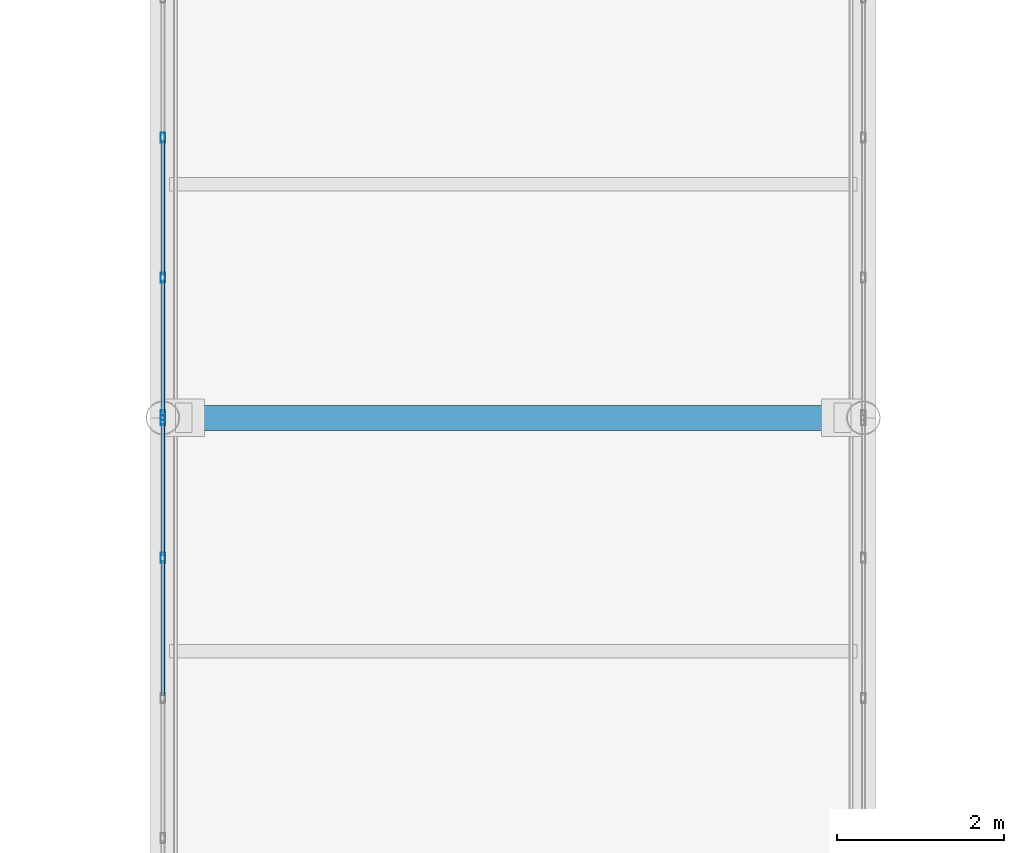
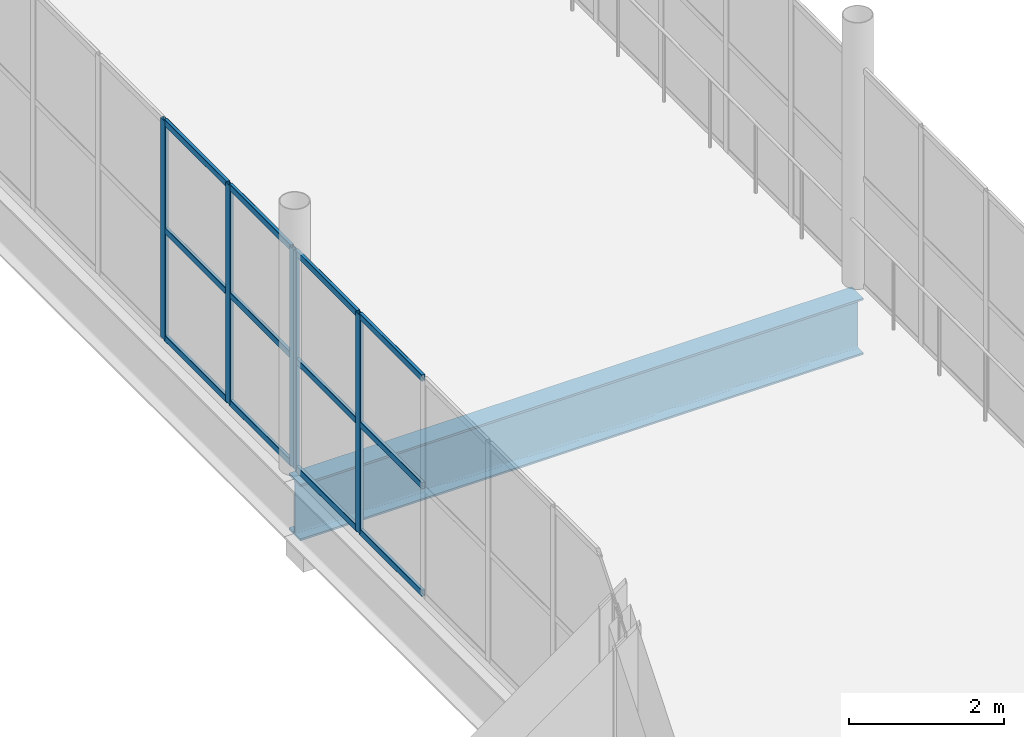
# One storey, part 51 of 163: 17 members, 1 beam, 2 elements without a shape of their own.
"""IFC4 building model written with IfcOpenShell, lengths in metres."""

from ifc_helpers import new_model, si_unit, direction, frame, origin, origin_2d, place, context, subcontext, project, spatial, hollow_rectangle, i_section, extrude, material, layer, layer_set, material_profile, profile_set, type_object, element, aggregate, save


model = new_model("IFC4")

# Units and contexts
model_context = context("Model", 3, precision=1e-05, world=origin(), true_north=direction((0.0, 1.0)))
body_context = subcontext(model_context, "Body", "Model", "MODEL_VIEW")
ifc_project = project(units=[si_unit("LENGTHUNIT", "METRE"), si_unit("AREAUNIT", "SQUARE_METRE"), si_unit("VOLUMEUNIT", "CUBIC_METRE"), si_unit("PLANEANGLEUNIT", "RADIAN"), si_unit("MASSUNIT", "GRAM", prefix="KILO")], contexts=[model_context])

# Site, building, storey
site_placement = place(None, origin())
site = spatial("IfcSite", under=ifc_project, at=site_placement, CompositionType="ELEMENT")
building_placement = place(site_placement, origin())
building = spatial("IfcBuilding", under=site, at=building_placement, Name="Qalvenar Corner Mobility Hub", CompositionType="ELEMENT")
storey_placement = place(building_placement, frame((0.0, 0.0, 4.800048828125)))
storey = spatial("IfcBuildingStorey", under=building, at=storey_placement, Name="L01", CompositionType="ELEMENT", Elevation=4.800048828125)

# Beam
ifc_material_1 = material(Name="Steel S355", Category="steel")
ifc_material_profile_1 = material_profile(ifc_material_1, i_section(OverallWidth=0.300048828125, OverallDepth=0.889892578125, WebThickness=0.01611328125, FlangeThickness=0.030029296875, FilletRadius=0.027099609375, at=origin_2d()), Name="HEA900")
ifc_profile_set_1 = profile_set([ifc_material_profile_1], Name="Steel S355")
beam_type = type_object("IfcBeamType", Name="BM-BRG900", PredefinedType="BEAM", material=ifc_profile_set_1)
beam_placement = place(storey_placement, frame((50.39990234375, 50.39990234375, -0.635009765625), z_axis=(1.0, 0.0, 0.0), x_axis=(0.0, 1.0, 0.0)))
element("IfcBeam", 1, at=beam_placement, inside=storey, type_object=beam_type, Name="Court Link Bridge Girder BRG-1523", PredefinedType="BEAM", context=body_context, shape_type="SweptSolid", body=[
    extrude(i_section(OverallWidth=0.300048828125, OverallDepth=0.889892578125, WebThickness=0.01611328125, FlangeThickness=0.030029296875, FilletRadius=0.027099609375, at=origin_2d()), origin(), (0.0, 0.0, 1.0), 8.400146484375),
])

# Curtain wall, members
ifc_material_2 = material(Name="Anodised Aluminium and Low-E Glazing", Category="aluminium")
ifc_layer = layer(ifc_material_2, 0.1201171875)
ifc_layer_set = layer_set([ifc_layer], Name="Anodised Aluminium and Low-E Glazing")
curtain_wall_type = type_object("IfcCurtainWallType", Name="CW-BRG-84X28", PredefinedType="NOTDEFINED", material=ifc_layer_set)
curtain_wall_1_placement = place(storey_placement, origin())
curtain_wall_1 = element("IfcCurtainWall", 2, at=curtain_wall_1_placement, inside=storey, type_object=curtain_wall_type, Name="Glazed Curtain Wall CW-BRG-L01-W1", PredefinedType="NOTDEFINED")
ifc_material_3 = material(Name="Anodised Aluminium 6063-T6", Category="aluminium")
ifc_material_profile_2 = material_profile(ifc_material_3, hollow_rectangle(XDim=0.054931640625, YDim=0.1201171875, WallThickness=0.00341796875, InnerFilletRadius=0.00341796875, OuterFilletRadius=0.007080078125, at=origin_2d()), Name="RHS120x55x3.5")
ifc_profile_set_2 = profile_set([ifc_material_profile_2], Name="Anodised Aluminium 6063-T6")
member_type_1 = type_object("IfcMemberType", Name="CW-MUL120", PredefinedType="MULLION", material=ifc_profile_set_2)
member_1_placement = place(storey_placement, frame((50.39990234375, 50.3701171875, 0.0), z_axis=(0.0, 0.0, 1.0), x_axis=(1.0, 0.0, 0.0)))
member_1 = element("IfcMember", 3, at=member_1_placement, type_object=member_type_1, Name="CW-11 mullion 1", PredefinedType="MULLION", context=body_context, shape_type="SweptSolid", body=[
    extrude(hollow_rectangle(XDim=0.054931640625, YDim=0.1201171875, WallThickness=0.00341796875, InnerFilletRadius=0.00341796875, OuterFilletRadius=0.007080078125, at=origin_2d()), origin(), (0.0, 0.0, 1.0), 3.449951171875),
])
member_2_placement = place(storey_placement, frame((50.39990234375, 48.719970703125, 0.0), z_axis=(0.0, 0.0, 1.0), x_axis=(1.0, 0.0, 0.0)))
member_2 = element("IfcMember", 4, at=member_2_placement, type_object=member_type_1, Name="CW-11 mullion 2", PredefinedType="MULLION", context=body_context, shape_type="SweptSolid", body=[
    extrude(hollow_rectangle(XDim=0.054931640625, YDim=0.1201171875, WallThickness=0.00341796875, InnerFilletRadius=0.00341796875, OuterFilletRadius=0.007080078125, at=origin_2d()), origin(), (0.0, 0.0, 1.0), 3.449951171875),
])

curtain_wall_2_placement = place(storey_placement, origin())
curtain_wall_2 = element("IfcCurtainWall", 5, at=curtain_wall_2_placement, inside=storey, type_object=curtain_wall_type, Name="Glazed Curtain Wall CW-BRG-L01-W2", PredefinedType="NOTDEFINED")
member_3_placement = place(storey_placement, frame((50.39990234375, 53.760009765625, 0.0), z_axis=(0.0, 0.0, 1.0), x_axis=(1.0, 0.0, 0.0)))
member_3 = element("IfcMember", 6, at=member_3_placement, type_object=member_type_1, Name="CW-11 mullion 4", PredefinedType="MULLION", context=body_context, shape_type="SweptSolid", body=[
    extrude(hollow_rectangle(XDim=0.054931640625, YDim=0.1201171875, WallThickness=0.00341796875, InnerFilletRadius=0.00341796875, OuterFilletRadius=0.007080078125, at=origin_2d()), origin(), (0.0, 0.0, 1.0), 3.449951171875),
])
member_4_placement = place(storey_placement, frame((50.39990234375, 52.080078125, 0.0), z_axis=(0.0, 0.0, 1.0), x_axis=(1.0, 0.0, 0.0)))
member_4 = element("IfcMember", 7, at=member_4_placement, type_object=member_type_1, Name="CW-11 mullion 5", PredefinedType="MULLION", context=body_context, shape_type="SweptSolid", body=[
    extrude(hollow_rectangle(XDim=0.054931640625, YDim=0.1201171875, WallThickness=0.00341796875, InnerFilletRadius=0.00341796875, OuterFilletRadius=0.007080078125, at=origin_2d()), origin(), (0.0, 0.0, 1.0), 3.449951171875),
])
member_5_placement = place(storey_placement, frame((50.39990234375, 50.429931640625, 0.0), z_axis=(0.0, 0.0, 1.0), x_axis=(1.0, 0.0, 0.0)))
member_5 = element("IfcMember", 8, at=member_5_placement, type_object=member_type_1, Name="CW-11 mullion 6", PredefinedType="MULLION", context=body_context, shape_type="SweptSolid", body=[
    extrude(hollow_rectangle(XDim=0.054931640625, YDim=0.1201171875, WallThickness=0.00341796875, InnerFilletRadius=0.00341796875, OuterFilletRadius=0.007080078125, at=origin_2d()), origin(), (0.0, 0.0, 1.0), 3.449951171875),
])

# Member
ifc_material_profile_3 = material_profile(ifc_material_3, hollow_rectangle(XDim=0.050048828125, YDim=0.10009765625, WallThickness=0.0029296875, InnerFilletRadius=0.0029296875, OuterFilletRadius=0.006103515625, at=origin_2d()), Name="RHS100x50x3")
ifc_profile_set_3 = profile_set([ifc_material_profile_3], Name="Anodised Aluminium 6063-T6")
member_type_2 = type_object("IfcMemberType", Name="CW-TRN100", PredefinedType="USERDEFINED", material=ifc_profile_set_3)
member_6_placement = place(storey_placement, frame((50.39990234375, 50.340087890625, 0.02734375), z_axis=(0.0, -1.0, 0.0), x_axis=(1.0, 0.0, 0.0)))
member_6 = element("IfcMember", 9, at=member_6_placement, type_object=member_type_2, Name="CW-11 transom 1.1", ObjectType="TRANSOM", PredefinedType="USERDEFINED", context=body_context, shape_type="SweptSolid", body=[
    extrude(hollow_rectangle(XDim=0.050048828125, YDim=0.10009765625, WallThickness=0.0029296875, InnerFilletRadius=0.0029296875, OuterFilletRadius=0.006103515625, at=origin_2d()), origin(), (0.0, 0.0, 1.0), 1.590087890625),
])

member_7_placement = place(storey_placement, frame((50.39990234375, 50.340087890625, 1.724853515625), z_axis=(0.0, -1.0, 0.0), x_axis=(1.0, 0.0, 0.0)))
member_7 = element("IfcMember", 10, at=member_7_placement, type_object=member_type_2, Name="CW-11 transom 1.2", ObjectType="TRANSOM", PredefinedType="USERDEFINED", context=body_context, shape_type="SweptSolid", body=[
    extrude(hollow_rectangle(XDim=0.050048828125, YDim=0.10009765625, WallThickness=0.0029296875, InnerFilletRadius=0.0029296875, OuterFilletRadius=0.006103515625, at=origin_2d()), origin(), (0.0, 0.0, 1.0), 1.590087890625),
])

member_8_placement = place(storey_placement, frame((50.39990234375, 50.340087890625, 3.42236328125), z_axis=(0.0, -1.0, 0.0), x_axis=(1.0, 0.0, 0.0)))
member_8 = element("IfcMember", 11, at=member_8_placement, type_object=member_type_2, Name="CW-11 transom 1.3", ObjectType="TRANSOM", PredefinedType="USERDEFINED", context=body_context, shape_type="SweptSolid", body=[
    extrude(hollow_rectangle(XDim=0.050048828125, YDim=0.10009765625, WallThickness=0.0029296875, InnerFilletRadius=0.0029296875, OuterFilletRadius=0.006103515625, at=origin_2d()), origin(), (0.0, 0.0, 1.0), 1.590087890625),
])

member_9_placement = place(storey_placement, frame((50.39990234375, 48.68994140625, 0.02734375), z_axis=(0.0, -1.0, 0.0), x_axis=(1.0, 0.0, 0.0)))
member_9 = element("IfcMember", 12, at=member_9_placement, type_object=member_type_2, Name="CW-11 transom 2.1", ObjectType="TRANSOM", PredefinedType="USERDEFINED", context=body_context, shape_type="SweptSolid", body=[
    extrude(hollow_rectangle(XDim=0.050048828125, YDim=0.10009765625, WallThickness=0.0029296875, InnerFilletRadius=0.0029296875, OuterFilletRadius=0.006103515625, at=origin_2d()), origin(), (0.0, 0.0, 1.0), 1.619873046875),
])

member_10_placement = place(storey_placement, frame((50.39990234375, 48.68994140625, 1.724853515625), z_axis=(0.0, -1.0, 0.0), x_axis=(1.0, 0.0, 0.0)))
member_10 = element("IfcMember", 13, at=member_10_placement, type_object=member_type_2, Name="CW-11 transom 2.2", ObjectType="TRANSOM", PredefinedType="USERDEFINED", context=body_context, shape_type="SweptSolid", body=[
    extrude(hollow_rectangle(XDim=0.050048828125, YDim=0.10009765625, WallThickness=0.0029296875, InnerFilletRadius=0.0029296875, OuterFilletRadius=0.006103515625, at=origin_2d()), origin(), (0.0, 0.0, 1.0), 1.619873046875),
])

member_11_placement = place(storey_placement, frame((50.39990234375, 48.68994140625, 3.42236328125), z_axis=(0.0, -1.0, 0.0), x_axis=(1.0, 0.0, 0.0)))
member_11 = element("IfcMember", 14, at=member_11_placement, type_object=member_type_2, Name="CW-11 transom 2.3", ObjectType="TRANSOM", PredefinedType="USERDEFINED", context=body_context, shape_type="SweptSolid", body=[
    extrude(hollow_rectangle(XDim=0.050048828125, YDim=0.10009765625, WallThickness=0.0029296875, InnerFilletRadius=0.0029296875, OuterFilletRadius=0.006103515625, at=origin_2d()), origin(), (0.0, 0.0, 1.0), 1.619873046875),
])

aggregate(curtain_wall_1, [member_1, member_2, member_6, member_7, member_8, member_9, member_10, member_11])

member_12_placement = place(storey_placement, frame((50.39990234375, 53.72998046875, 0.02734375), z_axis=(0.0, -1.0, 0.0), x_axis=(1.0, 0.0, 0.0)))
member_12 = element("IfcMember", 15, at=member_12_placement, type_object=member_type_2, Name="CW-11 transom 4.1", ObjectType="TRANSOM", PredefinedType="USERDEFINED", context=body_context, shape_type="SweptSolid", body=[
    extrude(hollow_rectangle(XDim=0.050048828125, YDim=0.10009765625, WallThickness=0.0029296875, InnerFilletRadius=0.0029296875, OuterFilletRadius=0.006103515625, at=origin_2d()), origin(), (0.0, 0.0, 1.0), 1.619873046875),
])

member_13_placement = place(storey_placement, frame((50.39990234375, 53.72998046875, 1.724853515625), z_axis=(0.0, -1.0, 0.0), x_axis=(1.0, 0.0, 0.0)))
member_13 = element("IfcMember", 16, at=member_13_placement, type_object=member_type_2, Name="CW-11 transom 4.2", ObjectType="TRANSOM", PredefinedType="USERDEFINED", context=body_context, shape_type="SweptSolid", body=[
    extrude(hollow_rectangle(XDim=0.050048828125, YDim=0.10009765625, WallThickness=0.0029296875, InnerFilletRadius=0.0029296875, OuterFilletRadius=0.006103515625, at=origin_2d()), origin(), (0.0, 0.0, 1.0), 1.619873046875),
])

member_14_placement = place(storey_placement, frame((50.39990234375, 53.72998046875, 3.42236328125), z_axis=(0.0, -1.0, 0.0), x_axis=(1.0, 0.0, 0.0)))
member_14 = element("IfcMember", 17, at=member_14_placement, type_object=member_type_2, Name="CW-11 transom 4.3", ObjectType="TRANSOM", PredefinedType="USERDEFINED", context=body_context, shape_type="SweptSolid", body=[
    extrude(hollow_rectangle(XDim=0.050048828125, YDim=0.10009765625, WallThickness=0.0029296875, InnerFilletRadius=0.0029296875, OuterFilletRadius=0.006103515625, at=origin_2d()), origin(), (0.0, 0.0, 1.0), 1.619873046875),
])

member_15_placement = place(storey_placement, frame((50.39990234375, 52.050048828125, 0.02734375), z_axis=(0.0, -1.0, 0.0), x_axis=(1.0, 0.0, 0.0)))
member_15 = element("IfcMember", 18, at=member_15_placement, type_object=member_type_2, Name="CW-11 transom 5.1", ObjectType="TRANSOM", PredefinedType="USERDEFINED", context=body_context, shape_type="SweptSolid", body=[
    extrude(hollow_rectangle(XDim=0.050048828125, YDim=0.10009765625, WallThickness=0.0029296875, InnerFilletRadius=0.0029296875, OuterFilletRadius=0.006103515625, at=origin_2d()), origin(), (0.0, 0.0, 1.0), 1.590087890625),
])

member_16_placement = place(storey_placement, frame((50.39990234375, 52.050048828125, 1.724853515625), z_axis=(0.0, -1.0, 0.0), x_axis=(1.0, 0.0, 0.0)))
member_16 = element("IfcMember", 19, at=member_16_placement, type_object=member_type_2, Name="CW-11 transom 5.2", ObjectType="TRANSOM", PredefinedType="USERDEFINED", context=body_context, shape_type="SweptSolid", body=[
    extrude(hollow_rectangle(XDim=0.050048828125, YDim=0.10009765625, WallThickness=0.0029296875, InnerFilletRadius=0.0029296875, OuterFilletRadius=0.006103515625, at=origin_2d()), origin(), (0.0, 0.0, 1.0), 1.590087890625),
])

member_17_placement = place(storey_placement, frame((50.39990234375, 52.050048828125, 3.42236328125), z_axis=(0.0, -1.0, 0.0), x_axis=(1.0, 0.0, 0.0)))
member_17 = element("IfcMember", 20, at=member_17_placement, type_object=member_type_2, Name="CW-11 transom 5.3", ObjectType="TRANSOM", PredefinedType="USERDEFINED", context=body_context, shape_type="SweptSolid", body=[
    extrude(hollow_rectangle(XDim=0.050048828125, YDim=0.10009765625, WallThickness=0.0029296875, InnerFilletRadius=0.0029296875, OuterFilletRadius=0.006103515625, at=origin_2d()), origin(), (0.0, 0.0, 1.0), 1.590087890625),
])

aggregate(curtain_wall_2, [member_3, member_4, member_5, member_12, member_13, member_14, member_15, member_16, member_17])

save(model, "model.ifc")
